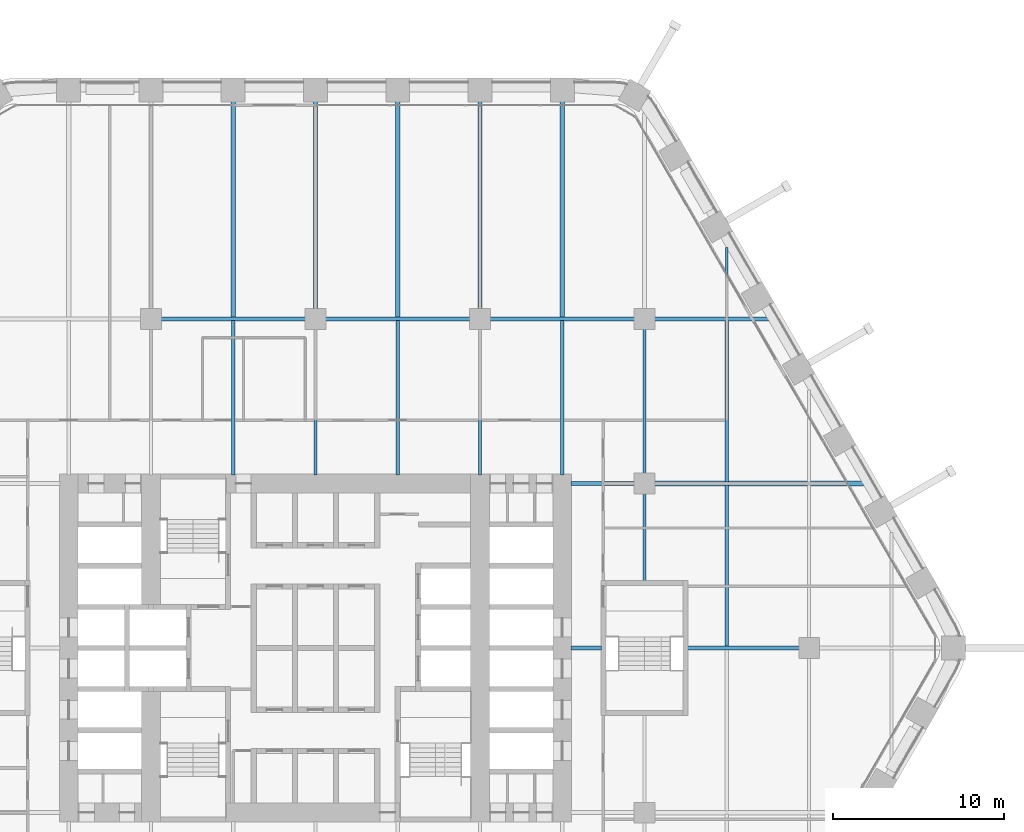
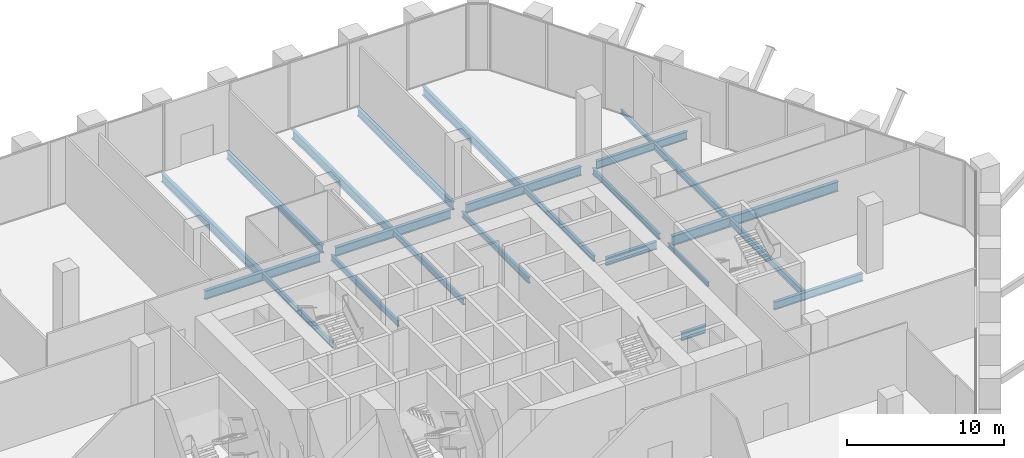
# One storey, part 10 of 29: 23 beams.
"""IFC4 building model written with IfcOpenShell, lengths in metres."""

import ifcopenshell
import ifcopenshell.guid

model = None  # the IFC model being written
_history = None  # IfcOwnerHistory: only IFC2X3 demands one
_inside = {}  # id of a spatial element -> (the spatial element, [elements in it])
_under = {}  # id of a project, library or spatial element -> (it, [spatial elements below it])
_declared = {}  # id of a project -> (the project, [libraries it declares])
_typed = {}  # id of a type object -> (the type object, [elements of that type])
_made_of = {}  # id of a material, layer set ... -> (it, [elements and type objects made of it])


def new_model(schema):
    """Start an empty IFC model of exactly this schema.

    Asked for "IFC4X3", IfcOpenShell would pick the latest addendum, in which some entities
    have other attributes; the version numbers below select the first issue.
    IFC2X3 requires an IfcOwnerHistory on every rooted entity: one is made here for all.
    """
    global model, _history
    if schema == "IFC4X3":
        model = ifcopenshell.file(schema_version=(4, 3, 0, 0))
    else:
        model = ifcopenshell.file(schema=schema)
    _inside.clear()
    _under.clear()
    _declared.clear()
    _typed.clear()
    _made_of.clear()
    _history = None
    if model.schema == "IFC2X3":
        org = make("IfcOrganization", Name="unknown")
        user = make(
            "IfcPersonAndOrganization",
            ThePerson=make("IfcPerson", FamilyName="unknown"),
            TheOrganization=org,
        )
        app = make(
            "IfcApplication",
            ApplicationDeveloper=org,
            Version="unknown",
            ApplicationFullName="unknown",
            ApplicationIdentifier="unknown",
        )
        _history = make(
            "IfcOwnerHistory",
            OwningUser=user,
            OwningApplication=app,
            ChangeAction="ADDED",
            CreationDate=0,
        )
    return model


def make(cls, **values):
    """One entity of the class cls with the attributes given. An attribute that is None is left unset."""
    return model.create_entity(
        cls, **{name: value for name, value in values.items() if value is not None}
    )


def rooted(cls, **values):
    """An entity with a GlobalId (a new one), such as an element, a storey or a relation."""
    return make(cls, GlobalId=ifcopenshell.guid.new(), OwnerHistory=_history, **values)


def si_unit(unit_type, name, prefix=None):
    """IfcSIUnit, for example si_unit("LENGTHUNIT", "METRE", prefix="MILLI")."""
    return make("IfcSIUnit", UnitType=unit_type, Prefix=prefix, Name=name)


def assignment(units):
    """IfcUnitAssignment: the units of a project."""
    return None if units is None else make("IfcUnitAssignment", Units=units)


def point(xyz):
    """IfcCartesianPoint."""
    return None if xyz is None else make("IfcCartesianPoint", Coordinates=xyz)


def direction(xyz):
    """IfcDirection."""
    return None if xyz is None else make("IfcDirection", DirectionRatios=xyz)


def frame(location, z_axis=None, x_axis=None):
    """IfcAxis2Placement3D, a coordinate frame: its origin and axes. An axis left out is left unset."""
    return make(
        "IfcAxis2Placement3D",
        Location=point(location),
        Axis=direction(z_axis),
        RefDirection=direction(x_axis),
    )


def frame_2d(location, x_axis=None):
    """IfcAxis2Placement2D, a coordinate frame in the plane: its origin and x axis."""
    return make(
        "IfcAxis2Placement2D", Location=point(location), RefDirection=direction(x_axis)
    )


def origin():
    """The frame at (0, 0, 0) with its axes left unset."""
    return frame((0.0, 0.0, 0.0))


def origin_2d():
    """The frame at (0, 0) in the plane with its x axis left unset."""
    return frame_2d((0.0, 0.0))


def place(relative_to, where):
    """IfcLocalPlacement: puts the frame where relative to a parent placement (None: the world)."""
    return make(
        "IfcLocalPlacement", PlacementRelTo=relative_to, RelativePlacement=where
    )


def context(
    kind, dimensions, precision=None, world=None, true_north=None, identifier=None
):
    """IfcGeometricRepresentationContext, for example the 3D "Model" context."""
    return make(
        "IfcGeometricRepresentationContext",
        ContextIdentifier=identifier,
        ContextType=kind,
        CoordinateSpaceDimension=dimensions,
        Precision=precision,
        WorldCoordinateSystem=world,
        TrueNorth=true_north,
    )


def subcontext(parent, identifier, kind, view, scale=None):
    """IfcGeometricRepresentationSubContext, for example "Body" below "Model"."""
    return make(
        "IfcGeometricRepresentationSubContext",
        ContextIdentifier=identifier,
        ContextType=kind,
        ParentContext=parent,
        TargetScale=scale,
        TargetView=view,
    )


def project(units=None, contexts=None):
    """IfcProject with its units and contexts."""
    return rooted(
        "IfcProject",
        Name="project",
        RepresentationContexts=contexts,
        UnitsInContext=assignment(units),
    )


def spatial(cls, under=None, at=None, **own):
    """A site, building, storey or space (cls), placed at a placement, below another one or the project."""
    s = rooted(cls, ObjectPlacement=at, **own)
    if under is not None:
        _under.setdefault(under.id(), (under, []))[1].append(s)
    return s


def profile(cls, at=None, kind="AREA", **sizes):
    """A parametric profile (cls). Its sizes go by their IFC names, for example OverallWidth=200.0."""
    return make(cls, ProfileType=kind, Position=at, **sizes)


def i_section(**sizes):
    """IfcIShapeProfileDef."""
    return profile("IfcIShapeProfileDef", **sizes)


def extrude(swept, where, along, depth):
    """IfcExtrudedAreaSolid: the profile swept, set in the frame where, extruded along a direction by depth."""
    return make(
        "IfcExtrudedAreaSolid",
        SweptArea=swept,
        Position=where,
        ExtrudedDirection=direction(along),
        Depth=depth,
    )


def shape(context_of_items, identifier, shape_type, items):
    """IfcShapeRepresentation: the items that make up one representation, for example the "Body"."""
    return make(
        "IfcShapeRepresentation",
        ContextOfItems=context_of_items,
        RepresentationIdentifier=identifier,
        RepresentationType=shape_type,
        Items=items,
    )


def material(Name=None, Category=None):
    """IfcMaterial."""
    return make("IfcMaterial", Name=Name, Category=Category)


def material_profile(
    of_material, cross_section, Name=None, Category=None, Priority=None
):
    """IfcMaterialProfile: a cross section and its material."""
    return make(
        "IfcMaterialProfile",
        Name=Name,
        Material=of_material,
        Profile=cross_section,
        Priority=Priority,
        Category=Category,
    )


def profile_set(profiles, Name=None, composite=None):
    """IfcMaterialProfileSet."""
    return make(
        "IfcMaterialProfileSet",
        Name=Name,
        MaterialProfiles=profiles,
        CompositeProfile=composite,
    )


def made_of(thing, what):
    """Note that an element or type object is made of a material, layer set ...; save() writes the relation."""
    if what is not None:
        _made_of.setdefault(what.id(), (what, []))[1].append(thing)
    return thing


def type_object(cls, material=None, **own):
    """A type object (cls), such as IfcWallType, which elements share."""
    return made_of(rooted(cls, **own), material)


def element(
    cls,
    number,
    at=None,
    inside=None,
    cuts=None,
    type_object=None,
    material=None,
    context=None,
    identifier="Body",
    shape_type=None,
    held_by="IfcProductDefinitionShape",
    body=None,
    shapes=None,
    **own,
):
    """One element of the class cls, such as IfcWall. Its Tag is "e" and its number.

    at: its placement. inside: the storey or other place that contains it. cuts: it is an
    opening in that element (IfcRelVoidsElement). A single representation is given by context,
    identifier, shape_type and body (its items); several are given by shapes. held_by: the class
    of the entity that holds the representations. save() writes the other relations.
    """
    e = rooted(cls, Tag="e%d" % number, ObjectPlacement=at, **own)
    if body is not None:
        shapes = [shape(context, identifier, shape_type, body)]
    if shapes is not None:
        e.Representation = make(held_by, Representations=shapes)
    if inside is not None:
        _inside.setdefault(inside.id(), (inside, []))[1].append(e)
    if cuts is not None:
        rooted(
            "IfcRelVoidsElement", RelatingBuildingElement=cuts, RelatedOpeningElement=e
        )
    if type_object is not None:
        _typed.setdefault(type_object.id(), (type_object, []))[1].append(e)
    return made_of(e, material)


def aggregate(whole, parts):
    """IfcRelAggregates: a whole, such as a stair, and the parts it consists of."""
    return rooted("IfcRelAggregates", RelatingObject=whole, RelatedObjects=parts)


def save(model, path):
    """Write the relations noted so far, then the file.

    IfcRelAggregates (storeys below a building ...), IfcRelContainedInSpatialStructure (elements
    in a storey), IfcRelDefinesByType, IfcRelAssociatesMaterial and IfcRelDeclares: one each for
    every whole, place, type object, material and project.
    """
    for whole, parts in _under.values():
        aggregate(whole, parts)
    for where, things in _inside.values():
        rooted(
            "IfcRelContainedInSpatialStructure",
            RelatedElements=things,
            RelatingStructure=where,
        )
    for kind, things in _typed.values():
        rooted("IfcRelDefinesByType", RelatedObjects=things, RelatingType=kind)
    for what, things in _made_of.values():
        rooted("IfcRelAssociatesMaterial", RelatedObjects=things, RelatingMaterial=what)
    for by, libraries in _declared.values():
        rooted("IfcRelDeclares", RelatingContext=by, RelatedDefinitions=libraries)
    model.write(path)


model = new_model("IFC4")

# Units and contexts
model_context = context("Model", 3, precision=1e-05, world=origin(), true_north=direction((0.0, 1.0)))
body_context = subcontext(model_context, "Body", "Model", "MODEL_VIEW")
ifc_project = project(units=[si_unit("LENGTHUNIT", "METRE"), si_unit("AREAUNIT", "SQUARE_METRE"), si_unit("VOLUMEUNIT", "CUBIC_METRE"), si_unit("PLANEANGLEUNIT", "RADIAN"), si_unit("MASSUNIT", "GRAM", prefix="KILO")], contexts=[model_context])

# Site, building, storey
site_placement = place(None, origin())
site = spatial("IfcSite", under=ifc_project, at=site_placement, CompositionType="ELEMENT")
building_placement = place(site_placement, origin())
building = spatial("IfcBuilding", under=site, at=building_placement, Name="Kolab Exchange Tower", CompositionType="ELEMENT")
storey_placement = place(building_placement, frame((0.0, 0.0, 55.39990234375)))
storey = spatial("IfcBuildingStorey", under=building, at=storey_placement, Name="L10", CompositionType="ELEMENT", Elevation=55.39990234375)

# Beams
ifc_material = material(Name="Steel S355", Category="steel")
ifc_material_profile_1 = material_profile(ifc_material, i_section(OverallWidth=0.1650390625, OverallDepth=0.31005859375, WebThickness=0.005859375, FlangeThickness=0.009765625, at=origin_2d()), Name="W310X39")
ifc_profile_set_1 = profile_set([ifc_material_profile_1], Name="Steel S355")
beam_type_1 = type_object("IfcBeamType", Name="FLOOR BEAM W310X39", PredefinedType="BEAM", material=ifc_profile_set_1)
beam_1_placement = place(storey_placement, frame((19.199951171875, 3.909912109375, -0.40478515625), z_axis=(0.0, 1.0, 0.0), x_axis=(-1.0, 0.0, 0.0)))
element("IfcBeam", 1, at=beam_1_placement, inside=storey, type_object=beam_type_1, Name="beam/L10/fr/049", PredefinedType="BEAM", context=body_context, shape_type="SweptSolid", body=[
    extrude(i_section(OverallWidth=0.1650390625, OverallDepth=0.31005859375, WebThickness=0.005859375, FlangeThickness=0.009765625, at=origin_2d()), origin(), (0.0, 0.0, 1.0), 5.130126953125),
])
beam_2_placement = place(storey_placement, frame((24.0, 19.27392578125, -0.40478515625), z_axis=(0.0, 1.0, 0.0), x_axis=(-1.0, 0.0, 0.0)))
element("IfcBeam", 2, at=beam_2_placement, inside=storey, type_object=beam_type_1, Name="beam/L10/fr/057", PredefinedType="BEAM", context=body_context, shape_type="SweptSolid", body=[
    extrude(i_section(OverallWidth=0.1650390625, OverallDepth=0.31005859375, WebThickness=0.005859375, FlangeThickness=0.009765625, at=origin_2d()), origin(), (0.0, 0.0, 1.0), 4.107666015625),
])
ifc_material_profile_2 = material_profile(ifc_material, i_section(OverallWidth=0.18994140625, OverallDepth=0.45703125, WebThickness=0.009033203125, FlangeThickness=0.014404296875, at=origin_2d()), Name="W460X74")
ifc_profile_set_2 = profile_set([ifc_material_profile_2], Name="Steel S355")
beam_type_2 = type_object("IfcBeamType", Name="FLOOR BEAM W460X74", PredefinedType="BEAM", material=ifc_profile_set_2)
beam_3_placement = place(storey_placement, frame((-4.800048828125, 10.110107421875, -0.478515625), z_axis=(0.0, 1.0, 0.0), x_axis=(-1.0, 0.0, 0.0)))
element("IfcBeam", 3, at=beam_3_placement, inside=storey, type_object=beam_type_2, Name="beam/L10/fr/028", PredefinedType="BEAM", context=body_context, shape_type="SweptSolid", body=[
    extrude(i_section(OverallWidth=0.18994140625, OverallDepth=0.45703125, WebThickness=0.009033203125, FlangeThickness=0.014404296875, at=origin_2d()), origin(), (0.0, 0.0, 1.0), 9.0029296875),
])
beam_4_placement = place(storey_placement, frame((0.0, 10.110107421875, -0.478515625), z_axis=(0.0, 1.0, 0.0), x_axis=(-1.0, 0.0, 0.0)))
element("IfcBeam", 4, at=beam_4_placement, inside=storey, type_object=beam_type_2, Name="beam/L10/fr/032", PredefinedType="BEAM", context=body_context, shape_type="SweptSolid", body=[
    extrude(i_section(OverallWidth=0.18994140625, OverallDepth=0.45703125, WebThickness=0.009033203125, FlangeThickness=0.014404296875, at=origin_2d()), origin(), (0.0, 0.0, 1.0), 8.52978515625),
])
beam_5_placement = place(storey_placement, frame((4.800048828125, 10.110107421875, -0.478515625), z_axis=(0.0, 1.0, 0.0), x_axis=(-1.0, 0.0, 0.0)))
element("IfcBeam", 5, at=beam_5_placement, inside=storey, type_object=beam_type_2, Name="beam/L10/fr/036", PredefinedType="BEAM", context=body_context, shape_type="SweptSolid", body=[
    extrude(i_section(OverallWidth=0.18994140625, OverallDepth=0.45703125, WebThickness=0.009033203125, FlangeThickness=0.014404296875, at=origin_2d()), origin(), (0.0, 0.0, 1.0), 9.0029296875),
])
beam_6_placement = place(storey_placement, frame((9.60009765625, 10.110107421875, -0.478515625), z_axis=(0.0, 1.0, 0.0), x_axis=(-1.0, 0.0, 0.0)))
element("IfcBeam", 6, at=beam_6_placement, inside=storey, type_object=beam_type_2, Name="beam/L10/fr/040", PredefinedType="BEAM", context=body_context, shape_type="SweptSolid", body=[
    extrude(i_section(OverallWidth=0.18994140625, OverallDepth=0.45703125, WebThickness=0.009033203125, FlangeThickness=0.014404296875, at=origin_2d()), origin(), (0.0, 0.0, 1.0), 8.52978515625),
])
beam_7_placement = place(storey_placement, frame((14.39990234375, 10.110107421875, -0.478515625), z_axis=(0.0, 1.0, 0.0), x_axis=(-1.0, 0.0, 0.0)))
element("IfcBeam", 7, at=beam_7_placement, inside=storey, type_object=beam_type_2, Name="beam/L10/fr/044", PredefinedType="BEAM", context=body_context, shape_type="SweptSolid", body=[
    extrude(i_section(OverallWidth=0.18994140625, OverallDepth=0.45703125, WebThickness=0.009033203125, FlangeThickness=0.014404296875, at=origin_2d()), origin(), (0.0, 0.0, 1.0), 9.0029296875),
])
beam_8_placement = place(storey_placement, frame((19.199951171875, 10.159912109375, -0.478515625), z_axis=(0.0, 1.0, 0.0), x_axis=(-1.0, 0.0, 0.0)))
element("IfcBeam", 8, at=beam_8_placement, inside=storey, type_object=beam_type_2, Name="beam/L10/fr/050", PredefinedType="BEAM", context=body_context, shape_type="SweptSolid", body=[
    extrude(i_section(OverallWidth=0.18994140625, OverallDepth=0.45703125, WebThickness=0.009033203125, FlangeThickness=0.014404296875, at=origin_2d()), origin(), (0.0, 0.0, 1.0), 8.47998046875),
])
ifc_material_profile_3 = material_profile(ifc_material, i_section(OverallWidth=0.208984375, OverallDepth=0.532958984375, WebThickness=0.01025390625, FlangeThickness=0.015625, at=origin_2d()), Name="W530X92")
ifc_profile_set_3 = profile_set([ifc_material_profile_3], Name="Steel S355")
beam_type_3 = type_object("IfcBeamType", Name="FLOOR BEAM W530X92", PredefinedType="BEAM", material=ifc_profile_set_3)
beam_9_placement = place(storey_placement, frame((24.0, 0.073974609375, -0.516357421875), z_axis=(0.0, 1.0, 0.0), x_axis=(-1.0, 0.0, 0.0)))
element("IfcBeam", 9, at=beam_9_placement, inside=storey, type_object=beam_type_3, Name="beam/L10/fr/055", PredefinedType="BEAM", context=body_context, shape_type="SweptSolid", body=[
    extrude(i_section(OverallWidth=0.208984375, OverallDepth=0.532958984375, WebThickness=0.01025390625, FlangeThickness=0.015625, at=origin_2d()), origin(), (0.0, 0.0, 1.0), 9.4326171875),
])
beam_10_placement = place(storey_placement, frame((24.0, 9.693603515625, -0.516357421875), z_axis=(0.0, 1.0, 0.0), x_axis=(-1.0, 0.0, 0.0)))
element("IfcBeam", 10, at=beam_10_placement, inside=storey, type_object=beam_type_3, Name="beam/L10/fr/056", PredefinedType="BEAM", context=body_context, shape_type="SweptSolid", body=[
    extrude(i_section(OverallWidth=0.208984375, OverallDepth=0.532958984375, WebThickness=0.01025390625, FlangeThickness=0.015625, at=origin_2d()), origin(), (0.0, 0.0, 1.0), 9.432373046875),
])
ifc_material_profile_4 = material_profile(ifc_material, i_section(OverallWidth=0.22802734375, OverallDepth=0.60791015625, WebThickness=0.01123046875, FlangeThickness=0.017333984375, at=origin_2d()), Name="W610X113")
ifc_profile_set_4 = profile_set([ifc_material_profile_4], Name="Steel S355")
beam_type_4 = type_object("IfcBeamType", Name="FLOOR BEAM W610X113", PredefinedType="BEAM", material=ifc_profile_set_4)
for number, where, z_axis, x_axis, name in (
    (11, (0.0, 19.760009765625, -0.553955078125), (0.0, 1.0, 0.0), (-1.0, 0.0, 0.0), "beam/L10/fr/033"),
    (12, (9.60009765625, 19.760009765625, -0.553955078125), (0.0, 1.0, 0.0), (-1.0, 0.0, 0.0), "beam/L10/fr/041"),
):
    element("IfcBeam", number, at=place(storey_placement, frame(where, z_axis=z_axis, x_axis=x_axis)), inside=storey, type_object=beam_type_4, Name=name, PredefinedType="BEAM", context=body_context, shape_type="SweptSolid", body=[
        extrude(i_section(OverallWidth=0.22802734375, OverallDepth=0.60791015625, WebThickness=0.01123046875, FlangeThickness=0.017333984375, at=origin_2d()), origin(), (0.0, 0.0, 1.0), 12.135498046875),
    ])
ifc_material_profile_5 = material_profile(ifc_material, i_section(OverallWidth=0.25390625, OverallDepth=0.68408203125, WebThickness=0.012451171875, FlangeThickness=0.018798828125, at=origin_2d()), Name="W690X140")
ifc_profile_set_5 = profile_set([ifc_material_profile_5], Name="Steel S355")
beam_type_5 = type_object("IfcBeamType", Name="FLOOR BEAM W690X140", PredefinedType="BEAM", material=ifc_profile_set_5)
for number, where, z_axis, x_axis, name in (
    (13, (-4.800048828125, 19.287109375, -0.591796875), (0.0, 1.0, 0.0), (-1.0, 0.0, 0.0), "beam/L10/fr/029"),
    (14, (4.800048828125, 19.287109375, -0.591796875), (0.0, 1.0, 0.0), (-1.0, 0.0, 0.0), "beam/L10/fr/037"),
    (15, (14.39990234375, 19.287109375, -0.591796875), (0.0, 1.0, 0.0), (-1.0, 0.0, 0.0), "beam/L10/fr/045"),
):
    element("IfcBeam", number, at=place(storey_placement, frame(where, z_axis=z_axis, x_axis=x_axis)), inside=storey, type_object=beam_type_5, Name=name, PredefinedType="BEAM", context=body_context, shape_type="SweptSolid", body=[
        extrude(i_section(OverallWidth=0.25390625, OverallDepth=0.68408203125, WebThickness=0.012451171875, FlangeThickness=0.018798828125, at=origin_2d()), origin(), (0.0, 0.0, 1.0), 12.6083984375),
    ])
ifc_material_profile_6 = material_profile(ifc_material, i_section(OverallWidth=0.22802734375, OverallDepth=0.60791015625, WebThickness=0.01123046875, FlangeThickness=0.017333984375, at=origin_2d()), Name="W610X113")
ifc_profile_set_6 = profile_set([ifc_material_profile_6], Name="Steel S355")
beam_type_6 = type_object("IfcBeamType", Name="FLOOR GIRDER W610X113", PredefinedType="BEAM", material=ifc_profile_set_6)
beam_11_placement = place(storey_placement, frame((14.909912109375, 0.0, -0.553955078125), z_axis=(1.0, 0.0, 0.0), x_axis=(0.0, 1.0, 0.0)))
element("IfcBeam", 16, at=beam_11_placement, inside=storey, type_object=beam_type_6, Name="beam/L10/gd/018", PredefinedType="BEAM", context=body_context, shape_type="SweptSolid", body=[
    extrude(i_section(OverallWidth=0.22802734375, OverallDepth=0.60791015625, WebThickness=0.01123046875, FlangeThickness=0.017333984375, at=origin_2d()), origin(), (0.0, 0.0, 1.0), 1.780029296875),
])
beam_12_placement = place(storey_placement, frame((14.909912109375, 9.60009765625, -0.553955078125), z_axis=(1.0, 0.0, 0.0), x_axis=(0.0, 1.0, 0.0)))
element("IfcBeam", 17, at=beam_12_placement, inside=storey, type_object=beam_type_6, Name="beam/L10/gd/019", PredefinedType="BEAM", context=body_context, shape_type="SweptSolid", body=[
    extrude(i_section(OverallWidth=0.22802734375, OverallDepth=0.60791015625, WebThickness=0.01123046875, FlangeThickness=0.017333984375, at=origin_2d()), origin(), (0.0, 0.0, 1.0), 3.72998046875),
])
beam_13_placement = place(storey_placement, frame((19.760009765625, 19.199951171875, -0.553955078125), z_axis=(1.0, 0.0, 0.0), x_axis=(0.0, 1.0, 0.0)))
element("IfcBeam", 18, at=beam_13_placement, inside=storey, type_object=beam_type_6, Name="beam/L10/gd/023", PredefinedType="BEAM", context=body_context, shape_type="SweptSolid", body=[
    extrude(i_section(OverallWidth=0.22802734375, OverallDepth=0.60791015625, WebThickness=0.01123046875, FlangeThickness=0.017333984375, at=origin_2d()), origin(), (0.0, 0.0, 1.0), 6.671142578125),
])
beam_14_placement = place(storey_placement, frame((21.7099609375, 0.0, -0.553955078125), z_axis=(1.0, 0.0, 0.0), x_axis=(0.0, 1.0, 0.0)))
element("IfcBeam", 19, at=beam_14_placement, inside=storey, type_object=beam_type_6, Name="beam/L10/gd/024", PredefinedType="BEAM", context=body_context, shape_type="SweptSolid", body=[
    extrude(i_section(OverallWidth=0.22802734375, OverallDepth=0.60791015625, WebThickness=0.01123046875, FlangeThickness=0.017333984375, at=origin_2d()), origin(), (0.0, 0.0, 1.0), 6.530029296875),
])
ifc_material_profile_7 = material_profile(ifc_material, i_section(OverallWidth=0.25390625, OverallDepth=0.68408203125, WebThickness=0.012451171875, FlangeThickness=0.018798828125, at=origin_2d()), Name="W690X140")
ifc_profile_set_7 = profile_set([ifc_material_profile_7], Name="Steel S355")
beam_type_7 = type_object("IfcBeamType", Name="FLOOR GIRDER W690X140", PredefinedType="BEAM", material=ifc_profile_set_7)
for number, where, z_axis, x_axis, name in (
    (20, (-9.0400390625, 19.199951171875, -0.591796875), (1.0, 0.0, 0.0), (0.0, 1.0, 0.0), "beam/L10/gd/012"),
    (21, (0.56005859375, 19.199951171875, -0.591796875), (1.0, 0.0, 0.0), (0.0, 1.0, 0.0), "beam/L10/gd/014"),
    (22, (10.159912109375, 19.199951171875, -0.591796875), (1.0, 0.0, 0.0), (0.0, 1.0, 0.0), "beam/L10/gd/016"),
):
    element("IfcBeam", number, at=place(storey_placement, frame(where, z_axis=z_axis, x_axis=x_axis)), inside=storey, type_object=beam_type_7, Name=name, PredefinedType="BEAM", context=body_context, shape_type="SweptSolid", body=[
        extrude(i_section(OverallWidth=0.25390625, OverallDepth=0.68408203125, WebThickness=0.012451171875, FlangeThickness=0.018798828125, at=origin_2d()), origin(), (0.0, 0.0, 1.0), 8.47998046875),
    ])
ifc_material_profile_8 = material_profile(ifc_material, i_section(OverallWidth=0.26708984375, OverallDepth=0.761962890625, WebThickness=0.014404296875, FlangeThickness=0.021484375, at=origin_2d()), Name="W760X173")
ifc_profile_set_8 = profile_set([ifc_material_profile_8], Name="Steel S355")
beam_type_8 = type_object("IfcBeamType", Name="FLOOR GIRDER W760X173", PredefinedType="BEAM", material=ifc_profile_set_8)
beam_15_placement = place(storey_placement, frame((19.760009765625, 9.60009765625, -0.630859375), z_axis=(1.0, 0.0, 0.0), x_axis=(0.0, 1.0, 0.0)))
element("IfcBeam", 23, at=beam_15_placement, inside=storey, type_object=beam_type_8, Name="beam/L10/gd/022", PredefinedType="BEAM", context=body_context, shape_type="SweptSolid", body=[
    extrude(i_section(OverallWidth=0.26708984375, OverallDepth=0.761962890625, WebThickness=0.014404296875, FlangeThickness=0.021484375, at=origin_2d()), origin(), (0.0, 0.0, 1.0), 12.213623046875),
])

save(model, "model.ifc")
